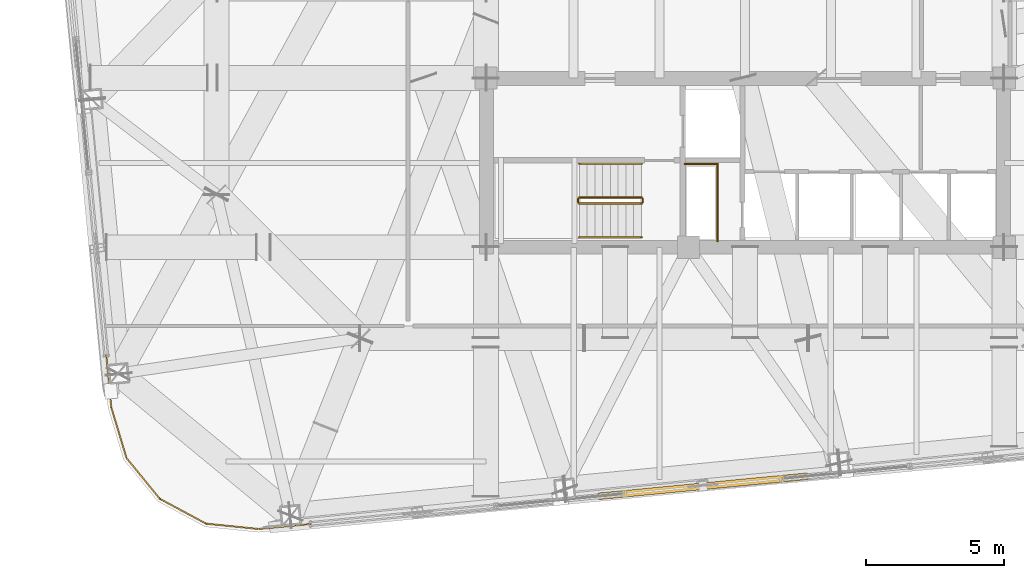
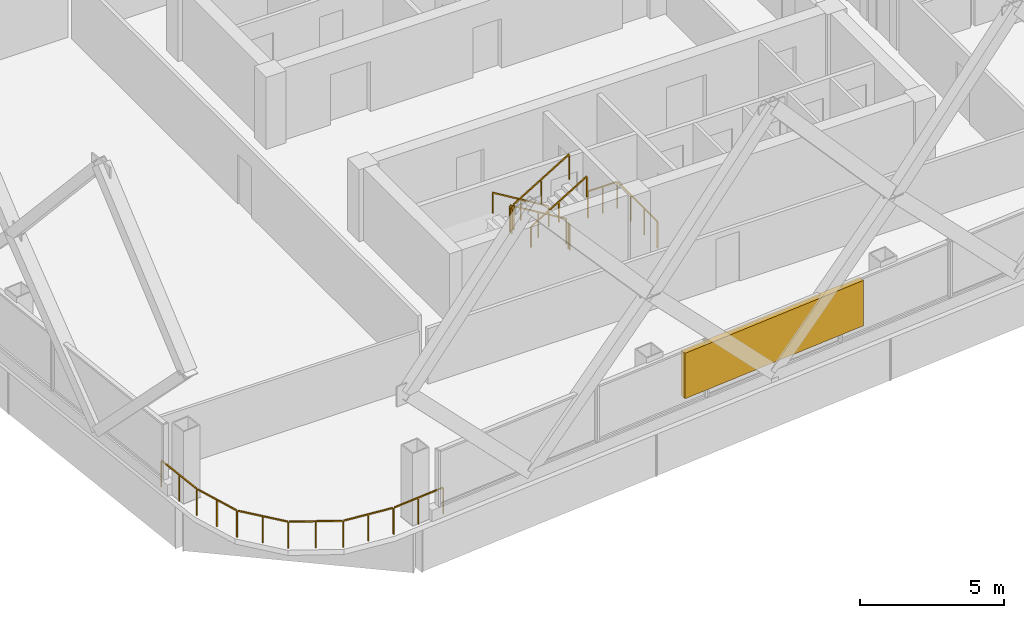
# One storey, part 35 of 37: 8 railings, 1 shading device.
"""IFC4 building model written with IfcOpenShell, lengths in metres."""

from ifc_helpers import new_model, si_unit, direction, frame, origin, origin_2d, place, context, subcontext, project, spatial, rectangle, extrude, material, type_object, element, save


model = new_model("IFC4")

# Units and contexts
model_context = context("Model", 3, precision=1e-05, world=origin(), true_north=direction((0.0, 1.0)))
body_context = subcontext(model_context, "Body", "Model", "MODEL_VIEW")
ifc_project = project(units=[si_unit("LENGTHUNIT", "METRE"), si_unit("AREAUNIT", "SQUARE_METRE"), si_unit("VOLUMEUNIT", "CUBIC_METRE"), si_unit("PLANEANGLEUNIT", "RADIAN"), si_unit("MASSUNIT", "GRAM", prefix="KILO")], contexts=[model_context])

# Site, building, storey
site_placement = place(None, origin())
site = spatial("IfcSite", under=ifc_project, at=site_placement, CompositionType="ELEMENT")
building_placement = place(site_placement, origin())
building = spatial("IfcBuilding", under=site, at=building_placement, Name="Qhalaya Broadcast Tower", CompositionType="ELEMENT")
storey_placement = place(building_placement, frame((0.0, 0.0, 156.14990234375)))
storey = spatial("IfcBuildingStorey", under=building, at=storey_placement, Name="L45", CompositionType="ELEMENT", Elevation=156.14990234375)

# Railings
ifc_material_1 = material(Name="Powder-Coated Galvanised Steel", Category="steel")
railing_type_1 = type_object("IfcRailingType", Name="Stair Wall Handrail 900", PredefinedType="HANDRAIL", material=ifc_material_1)
railing_1_placement = place(storey_placement, frame((-3.75, -5.72998046875, 0.16943359375)))
element("IfcRailing", 1, at=railing_1_placement, inside=storey, type_object=railing_type_1, Name="L45 ST-2 Stair Handrail 1", PredefinedType="HANDRAIL", context=body_context, shape_type="SweptSolid", body=[
    extrude(rectangle(XDim=0.048095703125, YDim=0.048095703125, at=origin_2d()), frame((0.0, 0.0, 0.8759765625), z_axis=(-0.855512035549, 0.0, 0.517782924622), x_axis=(0.0, -1.0, 0.0)), (0.0, 0.0, 1.0), 2.618408203125),
    extrude(rectangle(XDim=0.0419921875, YDim=0.0419921875, at=origin_2d()), origin(), (0.0, 0.0, 1.0), 0.849853515625),
    extrude(rectangle(XDim=0.0419921875, YDim=0.0419921875, at=origin_2d()), frame((-1.1201171875, 0.0, 0.677734375)), (0.0, 0.0, 1.0), 0.849853515625),
    extrude(rectangle(XDim=0.0419921875, YDim=0.0419921875, at=origin_2d()), frame((-2.239990234375, 0.0, 1.355712890625)), (0.0, 0.0, 1.0), 0.849853515625),
])
railing_2_placement = place(storey_placement, frame((-5.989990234375, -8.389892578125, 1.694580078125)))
element("IfcRailing", 2, at=railing_2_placement, inside=storey, type_object=railing_type_1, Name="L45 ST-2 Stair Handrail 2", PredefinedType="HANDRAIL", context=body_context, shape_type="SweptSolid", body=[
    extrude(rectangle(XDim=0.048095703125, YDim=0.048095703125, at=origin_2d()), frame((0.0, 0.0, 0.8759765625), z_axis=(0.855553338991, 0.0, 0.51771467445), x_axis=(0.0, 1.0, 0.0)), (0.0, 0.0, 1.0), 2.6181640625),
    extrude(rectangle(XDim=0.0419921875, YDim=0.0419921875, at=origin_2d()), origin(), (0.0, 0.0, 1.0), 0.849853515625),
    extrude(rectangle(XDim=0.0419921875, YDim=0.0419921875, at=origin_2d()), frame((1.1201171875, 0.0, 0.677734375)), (0.0, 0.0, 1.0), 0.849853515625),
    extrude(rectangle(XDim=0.0419921875, YDim=0.0419921875, at=origin_2d()), frame((2.239990234375, 0.0, 1.35546875)), (0.0, 0.0, 1.0), 0.849853515625),
])
railing_type_2 = type_object("IfcRailingType", Name="Stair Well & Landing Guardrail 1100", PredefinedType="GUARDRAIL", material=ifc_material_1)
railing_3_placement = place(storey_placement, frame((-1.0, -8.52001953125, 0.0)))
element("IfcRailing", 3, at=railing_3_placement, inside=storey, type_object=railing_type_2, Name="L45 Service Riser Opening Safety Guard SRSR", PredefinedType="GUARDRAIL", context=body_context, shape_type="SweptSolid", body=[
    extrude(rectangle(XDim=0.048095703125, YDim=0.048095703125, at=origin_2d()), frame((0.0, 0.0, 1.1259765625), z_axis=(0.0, 1.0, 0.0), x_axis=(-1.0, 0.0, 0.0)), (0.0, 0.0, 1.0), 2.751220703125),
    extrude(rectangle(XDim=0.048095703125, YDim=0.048095703125, at=origin_2d()), frame((-0.02880859375, 2.780029296875, 1.1259765625), z_axis=(-1.0, 0.0, 0.0), x_axis=(0.0, -1.0, 0.0)), (0.0, 0.0, 1.0), 1.151123046875),
    extrude(rectangle(XDim=0.0419921875, YDim=0.0419921875, at=origin_2d()), origin(), (0.0, 0.0, 1.0), 1.099853515625),
    extrude(rectangle(XDim=0.0419921875, YDim=0.0419921875, at=origin_2d()), frame((0.0, 0.9267578125, 0.0)), (0.0, 0.0, 1.0), 1.099853515625),
    extrude(rectangle(XDim=0.0419921875, YDim=0.0419921875, at=origin_2d()), frame((0.0, 1.853271484375, 0.0)), (0.0, 0.0, 1.0), 1.099853515625),
    extrude(rectangle(XDim=0.0419921875, YDim=0.0419921875, at=origin_2d()), frame((0.0, 2.780029296875, 0.0)), (0.0, 0.0, 1.0), 1.099853515625),
    extrude(rectangle(XDim=0.0419921875, YDim=0.0419921875, at=origin_2d()), frame((-0.58984375, 2.780029296875, 0.0)), (0.0, 0.0, 1.0), 1.099853515625),
    extrude(rectangle(XDim=0.0419921875, YDim=0.0419921875, at=origin_2d()), frame((-1.179931640625, 2.780029296875, 0.0)), (0.0, 0.0, 1.0), 1.099853515625),
])
railing_4_placement = place(storey_placement, frame((-3.75, -6.949951171875, 0.16943359375)))
element("IfcRailing", 4, at=railing_4_placement, inside=storey, type_object=railing_type_2, Name="L45 ST-2 Stair Guard 1", PredefinedType="GUARDRAIL", context=body_context, shape_type="SweptSolid", body=[
    extrude(rectangle(XDim=0.048095703125, YDim=0.048095703125, at=origin_2d()), frame((0.0, 0.0, 1.076171875), z_axis=(-0.855512035549, 0.0, 0.517782924622), x_axis=(0.0, -1.0, 0.0)), (0.0, 0.0, 1.0), 2.618408203125),
    extrude(rectangle(XDim=0.0419921875, YDim=0.0419921875, at=origin_2d()), origin(), (0.0, 0.0, 1.0), 1.050048828125),
    extrude(rectangle(XDim=0.0419921875, YDim=0.0419921875, at=origin_2d()), frame((-1.1201171875, 0.0, 0.677734375)), (0.0, 0.0, 1.0), 1.050048828125),
    extrude(rectangle(XDim=0.0419921875, YDim=0.0419921875, at=origin_2d()), frame((-2.239990234375, 0.0, 1.355712890625)), (0.0, 0.0, 1.0), 1.050048828125),
])
railing_5_placement = place(storey_placement, frame((-6.0400390625, -7.0, 1.525146484375)))
element("IfcRailing", 5, at=railing_5_placement, inside=storey, type_object=railing_type_2, Name="L45 ST-2 Stair Guard 2", PredefinedType="GUARDRAIL", context=body_context, shape_type="SweptSolid", body=[
    extrude(rectangle(XDim=0.048095703125, YDim=0.048095703125, at=origin_2d()), frame((0.0, 0.0, 1.076171875), z_axis=(0.0, -1.0, 0.0), x_axis=(1.0, 0.0, 0.0)), (0.0, 0.0, 1.0), 0.1201171875),
    extrude(rectangle(XDim=0.0419921875, YDim=0.0419921875, at=origin_2d()), origin(), (0.0, 0.0, 1.0), 1.050048828125),
    extrude(rectangle(XDim=0.0419921875, YDim=0.0419921875, at=origin_2d()), frame((0.0, -0.1201171875, 0.0)), (0.0, 0.0, 1.0), 1.050048828125),
])
railing_6_placement = place(storey_placement, frame((-5.989990234375, -7.169921875, 1.694580078125)))
element("IfcRailing", 6, at=railing_6_placement, inside=storey, type_object=railing_type_2, Name="L45 ST-2 Stair Guard 3", PredefinedType="GUARDRAIL", context=body_context, shape_type="SweptSolid", body=[
    extrude(rectangle(XDim=0.048095703125, YDim=0.048095703125, at=origin_2d()), frame((0.0, 0.0, 1.076171875), z_axis=(0.855553338991, 0.0, 0.51771467445), x_axis=(0.0, 1.0, 0.0)), (0.0, 0.0, 1.0), 2.6181640625),
    extrude(rectangle(XDim=0.0419921875, YDim=0.0419921875, at=origin_2d()), origin(), (0.0, 0.0, 1.0), 1.050048828125),
    extrude(rectangle(XDim=0.0419921875, YDim=0.0419921875, at=origin_2d()), frame((1.1201171875, 0.0, 0.677734375)), (0.0, 0.0, 1.0), 1.050048828125),
    extrude(rectangle(XDim=0.0419921875, YDim=0.0419921875, at=origin_2d()), frame((2.239990234375, 0.0, 1.35546875)), (0.0, 0.0, 1.0), 1.050048828125),
])
railing_7_placement = place(storey_placement, frame((-3.699951171875, -7.0, 0.0)))
element("IfcRailing", 7, at=railing_7_placement, inside=storey, type_object=railing_type_2, Name="L45 ST-2 Stair Guard 4", PredefinedType="GUARDRAIL", context=body_context, shape_type="SweptSolid", body=[
    extrude(rectangle(XDim=0.048095703125, YDim=0.048095703125, at=origin_2d()), frame((0.0, 0.0, 1.076171875), z_axis=(0.0, -1.0, 0.0), x_axis=(1.0, 0.0, 0.0)), (0.0, 0.0, 1.0), 0.1201171875),
    extrude(rectangle(XDim=0.0419921875, YDim=0.0419921875, at=origin_2d()), origin(), (0.0, 0.0, 1.0), 1.050048828125),
    extrude(rectangle(XDim=0.0419921875, YDim=0.0419921875, at=origin_2d()), frame((0.0, -0.1201171875, 0.0)), (0.0, 0.0, 1.0), 1.050048828125),
])
railing_type_3 = type_object("IfcRailingType", Name="Terrace, Sky-Pool & Lookout Glass Balustrade 1150", PredefinedType="BALUSTRADE", material=ifc_material_1)
railing_8_placement = place(storey_placement, frame((-15.479736328125, -18.73681640625, 0.0)))
element("IfcRailing", 8, at=railing_8_placement, inside=storey, type_object=railing_type_3, Name="L45 Rounded Corner Perimeter Guard 02", PredefinedType="BALUSTRADE", context=body_context, shape_type="SweptSolid", body=[
    extrude(rectangle(XDim=0.048095703125, YDim=0.048095703125, at=origin_2d()), frame((0.0, 0.0, 1.1259765625), z_axis=(-0.995391273094, -0.095896889673, 0.0), x_axis=(0.095896889673, -0.995391273094, 0.0)), (0.0, 0.0, 1.0), 2.08935546875),
    extrude(rectangle(XDim=0.048095703125, YDim=0.048095703125, at=origin_2d()), frame((-2.13720703125, -0.2001953125, 1.1259765625), z_axis=(-0.994968808814, 0.100185175984, 0.0), x_axis=(-0.100185175984, -0.994968808814, 0.0)), (0.0, 0.0, 1.0), 1.857666015625),
    extrude(rectangle(XDim=0.048095703125, YDim=0.048095703125, at=origin_2d()), frame((-4.03955078125, 0.00244140625, 1.1259765625), z_axis=(-0.880932037714, 0.473242797018, 0.0), x_axis=(-0.473242797018, -0.880932037714, 0.0)), (0.0, 0.0, 1.0), 1.845458984375),
    extrude(rectangle(XDim=0.048095703125, YDim=0.048095703125, at=origin_2d()), frame((-5.708984375, 0.911865234375, 1.1259765625), z_axis=(-0.632671796541, 0.774420039683, 0.0), x_axis=(-0.774420039683, -0.632671796541, 0.0)), (0.0, 0.0, 1.0), 1.845458984375),
    extrude(rectangle(XDim=0.048095703125, YDim=0.048095703125, at=origin_2d()), frame((-6.903076171875, 2.390869140625, 1.1259765625), z_axis=(-0.288213171456, 0.95756627332, 0.0), x_axis=(-0.95756627332, -0.288213171456, 0.0)), (0.0, 0.0, 1.0), 1.857421875),
    extrude(rectangle(XDim=0.048095703125, YDim=0.048095703125, at=origin_2d()), frame((-7.449462890625, 4.22607421875, 1.1259765625), z_axis=(-0.095782687057, 0.995402268864, 0.0), x_axis=(-0.995402268864, -0.095782687057, 0.0)), (0.0, 0.0, 1.0), 2.08935546875),
    extrude(rectangle(XDim=0.0419921875, YDim=0.0419921875, at=origin_2d()), origin(), (0.0, 0.0, 1.0), 1.099853515625),
    extrude(rectangle(XDim=0.0419921875, YDim=0.0419921875, at=origin_2d()), frame((-1.05419921875, -0.1015625, 0.0)), (0.0, 0.0, 1.0), 1.099853515625),
    extrude(rectangle(XDim=0.0419921875, YDim=0.0419921875, at=origin_2d()), frame((-2.1083984375, -0.203125, 0.0)), (0.0, 0.0, 1.0), 1.099853515625),
    extrude(rectangle(XDim=0.0419921875, YDim=0.0419921875, at=origin_2d()), frame((-3.061279296875, -0.107177734375, 0.0)), (0.0, 0.0, 1.0), 1.099853515625),
    extrude(rectangle(XDim=0.0419921875, YDim=0.0419921875, at=origin_2d()), frame((-4.01416015625, -0.01123046875, 0.0)), (0.0, 0.0, 1.0), 1.099853515625),
    extrude(rectangle(XDim=0.0419921875, YDim=0.0419921875, at=origin_2d()), frame((-4.8525390625, 0.43896484375, 0.0)), (0.0, 0.0, 1.0), 1.099853515625),
    extrude(rectangle(XDim=0.0419921875, YDim=0.0419921875, at=origin_2d()), frame((-5.690673828125, 0.889404296875, 0.0)), (0.0, 0.0, 1.0), 1.099853515625),
    extrude(rectangle(XDim=0.0419921875, YDim=0.0419921875, at=origin_2d()), frame((-6.292724609375, 1.62646484375, 0.0)), (0.0, 0.0, 1.0), 1.099853515625),
    extrude(rectangle(XDim=0.0419921875, YDim=0.0419921875, at=origin_2d()), frame((-6.894775390625, 2.36328125, 0.0)), (0.0, 0.0, 1.0), 1.099853515625),
    extrude(rectangle(XDim=0.0419921875, YDim=0.0419921875, at=origin_2d()), frame((-7.1708984375, 3.2802734375, 0.0)), (0.0, 0.0, 1.0), 1.099853515625),
    extrude(rectangle(XDim=0.0419921875, YDim=0.0419921875, at=origin_2d()), frame((-7.44677734375, 4.197265625, 0.0)), (0.0, 0.0, 1.0), 1.099853515625),
    extrude(rectangle(XDim=0.0419921875, YDim=0.0419921875, at=origin_2d()), frame((-7.54833984375, 5.25146484375, 0.0)), (0.0, 0.0, 1.0), 1.099853515625),
    extrude(rectangle(XDim=0.0419921875, YDim=0.0419921875, at=origin_2d()), frame((-7.649658203125, 6.3056640625, 0.0)), (0.0, 0.0, 1.0), 1.099853515625),
])

# Shading device
ifc_material_2 = material(Name="Fired Architectural Terracotta", Category="masonry")
shading_device_type = type_object("IfcShadingDeviceType", Name="Terracotta Baguette Solar Screen Assembly TBS-01", PredefinedType="USERDEFINED", material=ifc_material_2)
shading_device_placement = place(storey_placement, frame((-1.5244140625, -17.393310546875, 0.79248046875), z_axis=(0.0, 0.0, 1.0), x_axis=(0.995396198367, 0.09584575252, 0.0)))
element("IfcShadingDevice", 9, at=shading_device_placement, inside=storey, type_object=shading_device_type, Name="L45 Fired Terracotta Baguette Screen S", ObjectType="BAGUETTE", PredefinedType="USERDEFINED", context=body_context, shape_type="SweptSolid", body=[
    extrude(rectangle(XDim=7.60009765625, YDim=0.239990234375, at=origin_2d()), origin(), (0.0, 0.0, 1.0), 1.924072265625),
])

save(model, "model.ifc")
